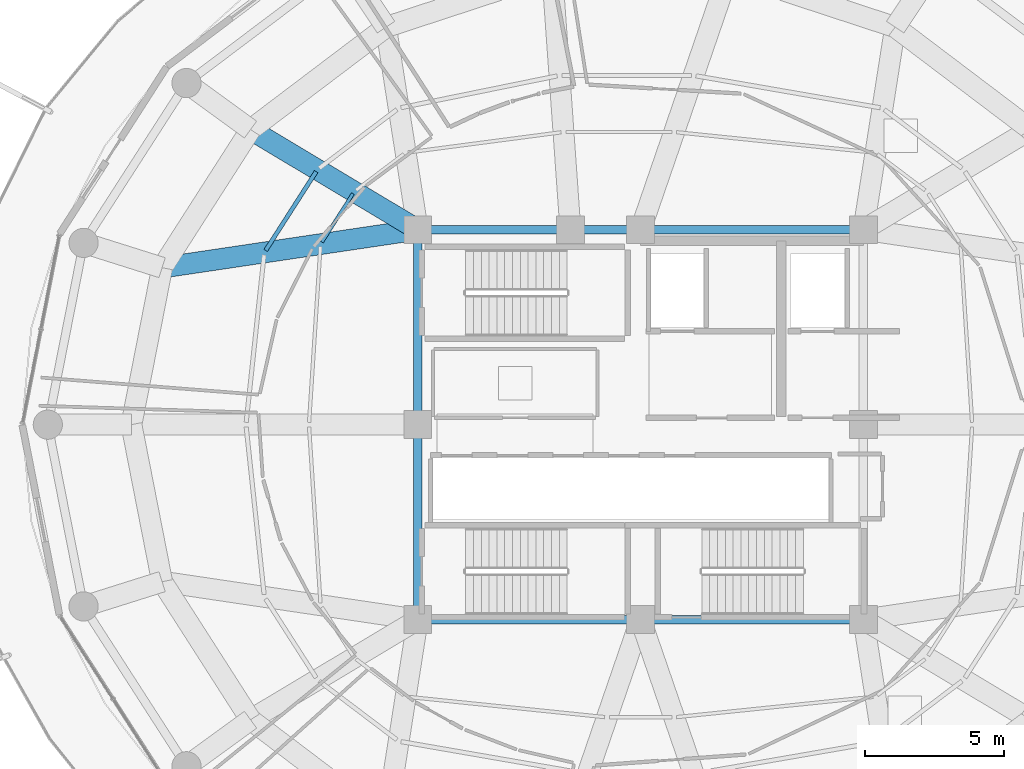
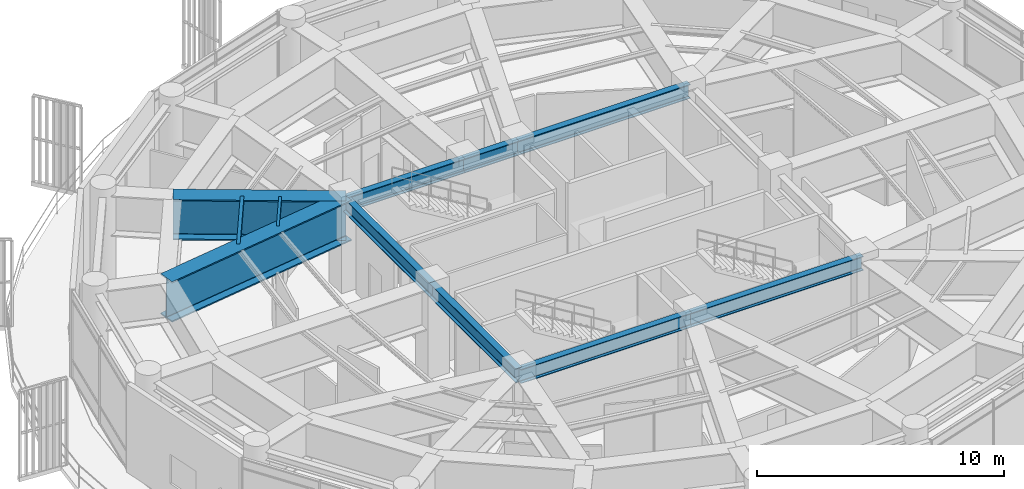
# One storey, part 9 of 29: 11 beams.
"""IFC4 building model written with IfcOpenShell, lengths in metres."""

from ifc_helpers import new_model, si_unit, direction, frame, origin, origin_2d, place, context, subcontext, project, spatial, i_section, extrude, material, material_profile, profile_set, type_object, element, save


model = new_model("IFC4")

# Units and contexts
model_context = context("Model", 3, precision=1e-05, world=origin(), true_north=direction((0.0, 1.0)))
body_context = subcontext(model_context, "Body", "Model", "MODEL_VIEW")
ifc_project = project(units=[si_unit("LENGTHUNIT", "METRE"), si_unit("AREAUNIT", "SQUARE_METRE"), si_unit("VOLUMEUNIT", "CUBIC_METRE"), si_unit("PLANEANGLEUNIT", "RADIAN"), si_unit("MASSUNIT", "GRAM", prefix="KILO")], contexts=[model_context])

# Site, building, storey
site_placement = place(None, origin())
site = spatial("IfcSite", under=ifc_project, at=site_placement, CompositionType="ELEMENT")
building_placement = place(site_placement, origin())
building = spatial("IfcBuilding", under=site, at=building_placement, Name="Kelanora Arch Commons", CompositionType="ELEMENT")
storey_placement = place(building_placement, frame((0.0, 0.0, 238.199951171875)))
storey = spatial("IfcBuildingStorey", under=building, at=storey_placement, Name="L61", CompositionType="ELEMENT", Elevation=238.199951171875)

# Beams
ifc_material = material(Name="Steel S355", Category="steel")
ifc_material_profile_1 = material_profile(ifc_material, i_section(OverallWidth=0.300048828125, OverallDepth=0.699951171875, WebThickness=0.01708984375, FlangeThickness=0.031982421875, FilletRadius=0.027099609375, at=origin_2d()), Name="HEB700")
ifc_profile_set_1 = profile_set([ifc_material_profile_1], Name="Steel S355")
beam_type_1 = type_object("IfcBeamType", Name="BM-CORE-HDR", PredefinedType="BEAM", material=ifc_profile_set_1)
for number, where, z_axis, x_axis, name in (
    (1, (66.0, 51.0, 4.010009765625), (1.0, 0.0, 0.0), (0.0, 1.0, 0.0), "Core Header Beam 01 L61"),
    (2, (74.0, 51.0, 4.010009765625), (1.0, 0.0, 0.0), (0.0, 1.0, 0.0), "Core Header Beam 02 L61"),
    (3, (82.0, 65.0, 4.010009765625), (-1.0, 0.0, 0.0), (0.0, -1.0, 0.0), "Core Header Beam 05 L61"),
):
    element("IfcBeam", number, at=place(storey_placement, frame(where, z_axis=z_axis, x_axis=x_axis)), inside=storey, type_object=beam_type_1, Name=name, PredefinedType="BEAM", context=body_context, shape_type="SweptSolid", body=[
        extrude(i_section(OverallWidth=0.300048828125, OverallDepth=0.699951171875, WebThickness=0.01708984375, FlangeThickness=0.031982421875, FilletRadius=0.027099609375, at=origin_2d()), origin(), (0.0, 0.0, 1.0), 8.0),
    ])
beam_1_placement = place(storey_placement, frame((74.0, 65.0, 4.010009765625), z_axis=(-1.0, 0.0, 0.0), x_axis=(0.0, -1.0, 0.0)))
element("IfcBeam", 4, at=beam_1_placement, inside=storey, type_object=beam_type_1, Name="Core Header Beam 06 L61", PredefinedType="BEAM", context=body_context, shape_type="SweptSolid", body=[
    extrude(i_section(OverallWidth=0.300048828125, OverallDepth=0.699951171875, WebThickness=0.01708984375, FlangeThickness=0.031982421875, FilletRadius=0.027099609375, at=origin_2d()), origin(), (0.0, 0.0, 1.0), 2.52001953125),
])
beam_2_placement = place(storey_placement, frame((71.47998046875, 65.0, 4.010009765625), z_axis=(-1.0, 0.0, 0.0), x_axis=(0.0, -1.0, 0.0)))
element("IfcBeam", 5, at=beam_2_placement, inside=storey, type_object=beam_type_1, Name="Core Header Beam 07 L61", PredefinedType="BEAM", context=body_context, shape_type="SweptSolid", body=[
    extrude(i_section(OverallWidth=0.300048828125, OverallDepth=0.699951171875, WebThickness=0.01708984375, FlangeThickness=0.031982421875, FilletRadius=0.027099609375, at=origin_2d()), origin(), (0.0, 0.0, 1.0), 5.47998046875),
])
for number, where, z_axis, x_axis, name in (
    (6, (66.0, 65.0, 4.010009765625), (0.0, -1.0, 0.0), (1.0, 0.0, 0.0), "Core Header Beam 08 L61"),
    (7, (66.0, 58.0, 4.010009765625), (0.0, -1.0, 0.0), (1.0, 0.0, 0.0), "Core Header Beam 09 L61"),
):
    element("IfcBeam", number, at=place(storey_placement, frame(where, z_axis=z_axis, x_axis=x_axis)), inside=storey, type_object=beam_type_1, Name=name, PredefinedType="BEAM", context=body_context, shape_type="SweptSolid", body=[
        extrude(i_section(OverallWidth=0.300048828125, OverallDepth=0.699951171875, WebThickness=0.01708984375, FlangeThickness=0.031982421875, FilletRadius=0.027099609375, at=origin_2d()), origin(), (0.0, 0.0, 1.0), 7.0),
    ])
ifc_material_profile_2 = material_profile(ifc_material, i_section(OverallWidth=0.14990234375, OverallDepth=0.300048828125, WebThickness=0.007080078125, FlangeThickness=0.0107421875, FilletRadius=0.014892578125, at=origin_2d()), Name="IPE300")
ifc_profile_set_2 = profile_set([ifc_material_profile_2], Name="Steel S355")
beam_type_2 = type_object("IfcBeamType", Name="BM-JST-01", PredefinedType="JOIST", material=ifc_profile_set_2)
beam_3_placement = place(storey_placement, frame((62.352294921875, 67.084228515625, 4.2099609375), z_axis=(-0.539321586177, -0.842099891155, 0.0), x_axis=(0.842099891155, -0.539321586177, 0.0)))
element("IfcBeam", 8, at=beam_3_placement, inside=storey, type_object=beam_type_2, Name="Secondary Chord Joist BJB-14 L61", PredefinedType="JOIST", context=body_context, shape_type="SweptSolid", body=[
    extrude(i_section(OverallWidth=0.14990234375, OverallDepth=0.300048828125, WebThickness=0.007080078125, FlangeThickness=0.0107421875, FilletRadius=0.014892578125, at=origin_2d()), origin(), (0.0, 0.0, 1.0), 3.361572265625),
])
ifc_material_profile_3 = material_profile(ifc_material, i_section(OverallWidth=0.1201171875, OverallDepth=0.239990234375, WebThickness=0.006103515625, FlangeThickness=0.009765625, FilletRadius=0.014892578125, at=origin_2d()), Name="IPE240")
ifc_profile_set_3 = profile_set([ifc_material_profile_3], Name="Steel S355")
beam_type_3 = type_object("IfcBeamType", Name="BM-JST-02", PredefinedType="JOIST", material=ifc_profile_set_3)
beam_4_placement = place(storey_placement, frame((63.6728515625, 66.293701171875, 4.239990234375), z_axis=(-0.539311810315, -0.842106152011, 0.0), x_axis=(0.842106152011, -0.539311810315, 0.0)))
element("IfcBeam", 9, at=beam_4_placement, inside=storey, type_object=beam_type_3, Name="Secondary Chord Joist BJA-14 L61", PredefinedType="JOIST", context=body_context, shape_type="SweptSolid", body=[
    extrude(i_section(OverallWidth=0.1201171875, OverallDepth=0.239990234375, WebThickness=0.006103515625, FlangeThickness=0.009765625, FilletRadius=0.014892578125, at=origin_2d()), origin(), (0.0, 0.0, 1.0), 2.06640625),
])
ifc_material_profile_4 = material_profile(ifc_material, i_section(OverallWidth=0.75, OverallDepth=2.0, WebThickness=0.034912109375, FlangeThickness=0.06005859375, FilletRadius=0.028076171875, at=origin_2d()), Name="PG2000x750")
ifc_profile_set_4 = profile_set([ifc_material_profile_4], Name="Steel S355")
beam_type_4 = type_object("IfcBeamType", Name="BM-XFER-SET", PredefinedType="USERDEFINED", material=ifc_profile_set_4)
beam_5_placement = place(storey_placement, frame((66.0, 65.0, 3.360107421875), z_axis=(-0.858062005744, 0.513546097541, 0.0), x_axis=(-0.513546097541, -0.858062005744, 0.0)))
element("IfcBeam", 10, at=beam_5_placement, inside=storey, type_object=beam_type_4, Name="Setback Radial Transfer Girder BRI-14 L61", ObjectType="TRANSFER_GIRDER", PredefinedType="USERDEFINED", context=body_context, shape_type="SweptSolid", body=[
    extrude(i_section(OverallWidth=0.75, OverallDepth=2.0, WebThickness=0.034912109375, FlangeThickness=0.06005859375, FilletRadius=0.028076171875, at=origin_2d()), origin(), (0.0, 0.0, 1.0), 6.99658203125),
])
beam_6_placement = place(storey_placement, frame((66.0, 65.0, 3.360107421875), z_axis=(-0.989142485564, -0.146959665395, 0.0), x_axis=(0.146959665395, -0.989142485564, 0.0)))
element("IfcBeam", 11, at=beam_6_placement, inside=storey, type_object=beam_type_4, Name="Setback Radial Transfer Girder BRI-16 L61", ObjectType="TRANSFER_GIRDER", PredefinedType="USERDEFINED", context=body_context, shape_type="SweptSolid", body=[
    extrude(i_section(OverallWidth=0.75, OverallDepth=2.0, WebThickness=0.034912109375, FlangeThickness=0.06005859375, FilletRadius=0.028076171875, at=origin_2d()), origin(), (0.0, 0.0, 1.0), 9.2783203125),
])

save(model, "model.ifc")
